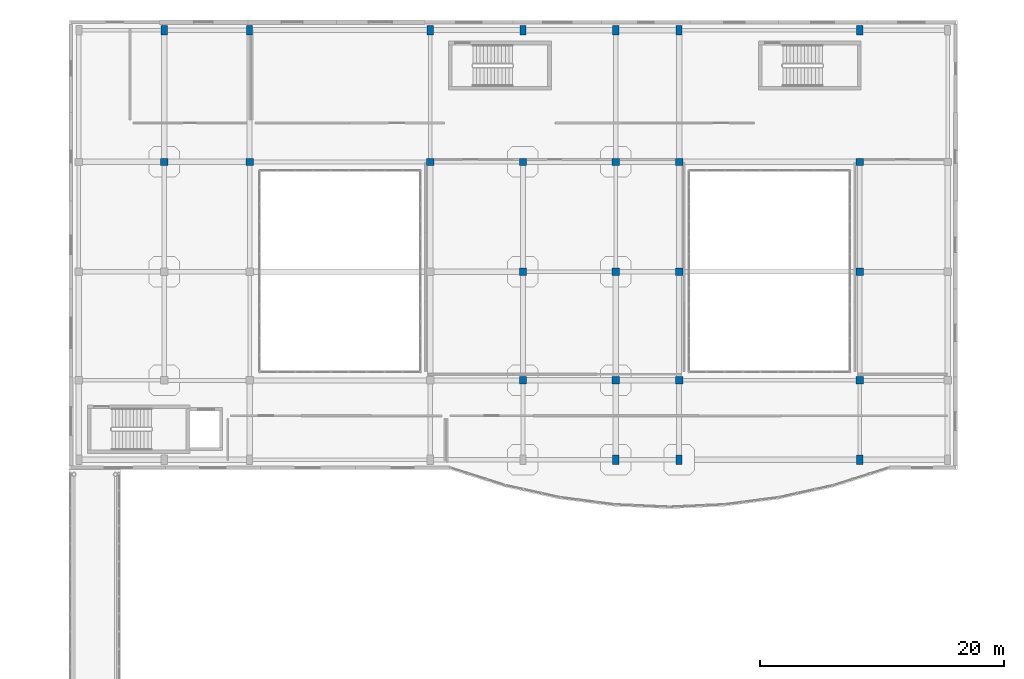
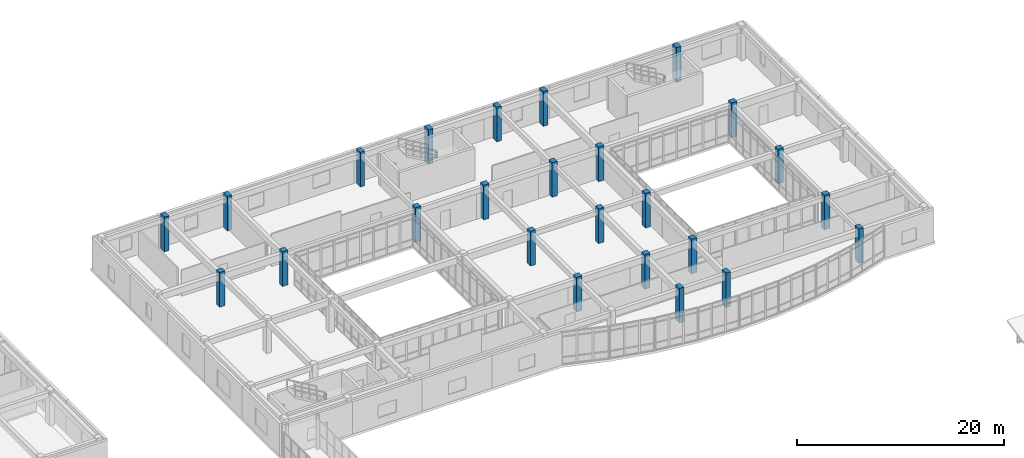
# One storey, part 13 of 146: 25 columns.
"""IFC4 building model written with IfcOpenShell, lengths in metres."""

from ifc_helpers import new_model, si_unit, direction, frame, origin, origin_2d, place, context, subcontext, project, spatial, rectangle, extrude, material, material_profile, profile_set, type_object, element, save


model = new_model("IFC4")

# Units and contexts
model_context = context("Model", 3, precision=1e-05, world=origin(), true_north=direction((0.0, 1.0)))
body_context = subcontext(model_context, "Body", "Model", "MODEL_VIEW")
ifc_project = project(units=[si_unit("LENGTHUNIT", "METRE"), si_unit("AREAUNIT", "SQUARE_METRE"), si_unit("VOLUMEUNIT", "CUBIC_METRE"), si_unit("PLANEANGLEUNIT", "RADIAN"), si_unit("MASSUNIT", "GRAM", prefix="KILO")], contexts=[model_context])

# Site, building, storey
site_placement = place(None, origin())
site = spatial("IfcSite", under=ifc_project, at=site_placement, CompositionType="ELEMENT")
building_placement = place(site_placement, origin())
building = spatial("IfcBuilding", under=site, at=building_placement, Name="Valcora Specialist Clinic", CompositionType="ELEMENT")
storey_placement = place(building_placement, frame((0.0, 0.0, 9.52001953125)))
storey = spatial("IfcBuildingStorey", under=building, at=storey_placement, Name="L02", CompositionType="ELEMENT", Elevation=9.52001953125)

# Columns
ifc_material = material(Name="Concrete C40/50", Category="concrete")
ifc_material_profile_1 = material_profile(ifc_material, rectangle(XDim=0.5, YDim=0.75, at=origin_2d()), Name="RC-COL-500X750")
ifc_profile_set_1 = profile_set([ifc_material_profile_1], Name="Concrete C40/50")
column_type_1 = type_object("IfcColumnType", Name="TY-COL-RC500X750", PredefinedType="COLUMN", material=ifc_profile_set_1)
for number, where, z_axis, x_axis, name in (
    (1, (69.0, 110.0, 0.0), (0.0, 0.0, 1.0), (1.0, 0.0, 0.0), "Column COL-L02-0349"),
    (2, (76.0, 110.0, 0.0), (0.0, 0.0, 1.0), (1.0, 0.0, 0.0), "Column COL-L02-0374"),
    (3, (90.800048828125, 110.0, 0.0), (0.0, 0.0, 1.0), (1.0, 0.0, 0.0), "Column COL-L02-0399"),
    (4, (98.39990234375, 110.0, 0.0), (0.0, 0.0, 1.0), (1.0, 0.0, 0.0), "Column COL-L02-0424"),
    (5, (106.0, 74.800048828125, 0.0), (0.0, 0.0, 1.0), (1.0, 0.0, 0.0), "Column COL-L02-0429"),
    (6, (106.0, 110.0, 0.0), (0.0, 0.0, 1.0), (1.0, 0.0, 0.0), "Column COL-L02-0449"),
    (7, (111.199951171875, 74.800048828125, 0.0), (0.0, 0.0, 1.0), (1.0, 0.0, 0.0), "Column COL-L02-0454"),
    (8, (111.199951171875, 110.0, 0.0), (0.0, 0.0, 1.0), (1.0, 0.0, 0.0), "Column COL-L02-0474"),
    (9, (126.0, 74.800048828125, 0.0), (0.0, 0.0, 1.0), (1.0, 0.0, 0.0), "Column COL-L02-0479"),
    (10, (126.0, 110.0, 0.0), (0.0, 0.0, 1.0), (1.0, 0.0, 0.0), "Column COL-L02-0499"),
):
    element("IfcColumn", number, at=place(storey_placement, frame(where, z_axis=z_axis, x_axis=x_axis)), inside=storey, type_object=column_type_1, Name=name, PredefinedType="COLUMN", context=body_context, shape_type="SweptSolid", body=[
        extrude(rectangle(XDim=0.5, YDim=0.75, at=origin_2d()), origin(), (0.0, 0.0, 1.0), 4.080078125),
    ])
ifc_material_profile_2 = material_profile(ifc_material, rectangle(XDim=0.60009765625, YDim=0.60009765625, at=origin_2d()), Name="RC-COL-600X600")
ifc_profile_set_2 = profile_set([ifc_material_profile_2], Name="Concrete C40/50")
column_type_2 = type_object("IfcColumnType", Name="TY-COL-RC600", PredefinedType="COLUMN", material=ifc_profile_set_2)
for number, where, z_axis, x_axis, name in (
    (11, (69.0, 99.199951171875, 0.0), (0.0, 0.0, 1.0), (1.0, 0.0, 0.0), "Column COL-L02-0344"),
    (12, (76.0, 99.199951171875, 0.0), (0.0, 0.0, 1.0), (1.0, 0.0, 0.0), "Column COL-L02-0369"),
    (13, (90.800048828125, 99.199951171875, 0.0), (0.0, 0.0, 1.0), (1.0, 0.0, 0.0), "Column COL-L02-0394"),
    (14, (98.39990234375, 81.300048828125, 0.0), (0.0, 0.0, 1.0), (1.0, 0.0, 0.0), "Column COL-L02-0409"),
    (15, (98.39990234375, 90.199951171875, 0.0), (0.0, 0.0, 1.0), (1.0, 0.0, 0.0), "Column COL-L02-0414"),
    (16, (98.39990234375, 99.199951171875, 0.0), (0.0, 0.0, 1.0), (1.0, 0.0, 0.0), "Column COL-L02-0419"),
    (17, (106.0, 81.300048828125, 0.0), (0.0, 0.0, 1.0), (1.0, 0.0, 0.0), "Column COL-L02-0434"),
    (18, (106.0, 90.199951171875, 0.0), (0.0, 0.0, 1.0), (1.0, 0.0, 0.0), "Column COL-L02-0439"),
    (19, (106.0, 99.199951171875, 0.0), (0.0, 0.0, 1.0), (1.0, 0.0, 0.0), "Column COL-L02-0444"),
    (20, (111.199951171875, 81.300048828125, 0.0), (0.0, 0.0, 1.0), (1.0, 0.0, 0.0), "Column COL-L02-0459"),
    (21, (111.199951171875, 90.199951171875, 0.0), (0.0, 0.0, 1.0), (1.0, 0.0, 0.0), "Column COL-L02-0464"),
    (22, (111.199951171875, 99.199951171875, 0.0), (0.0, 0.0, 1.0), (1.0, 0.0, 0.0), "Column COL-L02-0469"),
    (23, (126.0, 81.300048828125, 0.0), (0.0, 0.0, 1.0), (1.0, 0.0, 0.0), "Column COL-L02-0484"),
    (24, (126.0, 90.199951171875, 0.0), (0.0, 0.0, 1.0), (1.0, 0.0, 0.0), "Column COL-L02-0489"),
    (25, (126.0, 99.199951171875, 0.0), (0.0, 0.0, 1.0), (1.0, 0.0, 0.0), "Column COL-L02-0494"),
):
    element("IfcColumn", number, at=place(storey_placement, frame(where, z_axis=z_axis, x_axis=x_axis)), inside=storey, type_object=column_type_2, Name=name, PredefinedType="COLUMN", context=body_context, shape_type="SweptSolid", body=[
        extrude(rectangle(XDim=0.60009765625, YDim=0.60009765625, at=origin_2d()), origin(), (0.0, 0.0, 1.0), 4.080078125),
    ])

save(model, "model.ifc")
